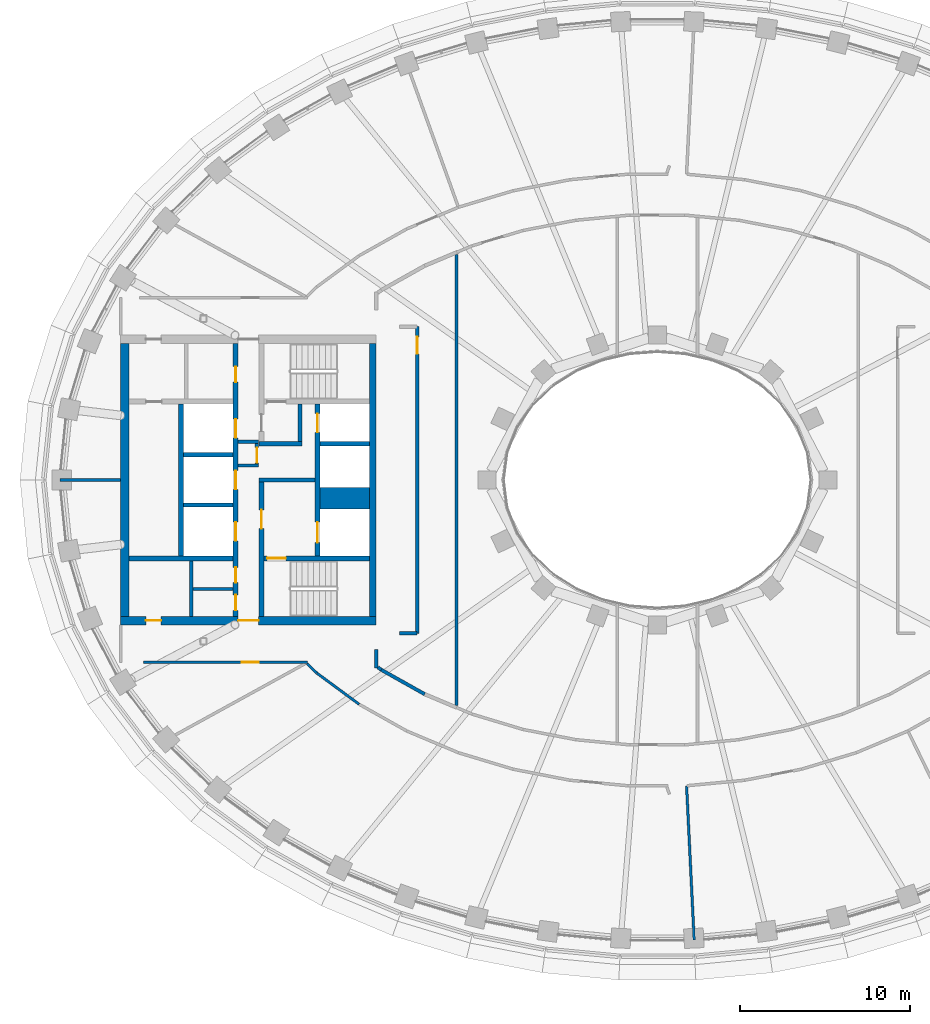
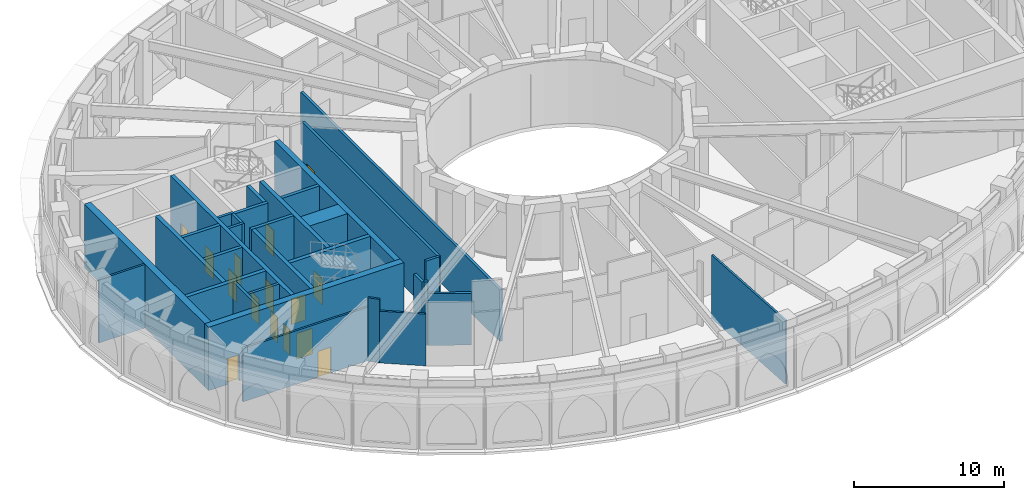
# One storey, part 6 of 25: 32 walls, 15 doors, 15 openings.
"""IFC4 building model written with IfcOpenShell, lengths in metres."""

from ifc_helpers import new_model, si_unit, direction, frame, frame_2d, origin, place, context, subcontext, project, spatial, rectangle, extrude, material, layer, layer_set, type_object, element, fill, save


model = new_model("IFC4")

# Units and contexts
model_context = context("Model", 3, precision=1e-05, world=origin(), true_north=direction((0.0, 1.0)))
body_context = subcontext(model_context, "Body", "Model", "MODEL_VIEW")
ifc_project = project(units=[si_unit("LENGTHUNIT", "METRE"), si_unit("AREAUNIT", "SQUARE_METRE"), si_unit("VOLUMEUNIT", "CUBIC_METRE"), si_unit("PLANEANGLEUNIT", "RADIAN"), si_unit("MASSUNIT", "GRAM", prefix="KILO")], contexts=[model_context])

# Site, building, storey
site_placement = place(None, origin())
site = spatial("IfcSite", under=ifc_project, at=site_placement, CompositionType="ELEMENT")
building_placement = place(site_placement, origin())
building = spatial("IfcBuilding", under=site, at=building_placement, Name="Noorbagh Ring Tower", CompositionType="ELEMENT")
storey_placement = place(building_placement, frame((0.0, 0.0, 198.0)))
storey = spatial("IfcBuildingStorey", under=building, at=storey_placement, Name="L46", CompositionType="ELEMENT", Elevation=198.0)

# Wall
ifc_material_1 = material(Name="Gypsum board on steel studs", Category="steel")
ifc_layer_1 = layer(ifc_material_1, 0.14990234375)
ifc_layer_set_1 = layer_set([ifc_layer_1], Name="Gypsum board on steel studs")
wall_type_1 = type_object("IfcWallType", Name="COMPARTMENT PARTITION 150 EI 60", PredefinedType="PARTITIONING", material=ifc_layer_set_1)
wall_1_placement = place(storey_placement, frame((-35.044921875, 0.0, 0.0), z_axis=(0.0, 0.0, 1.0), x_axis=(1.0, 0.0, 0.0)))
element("IfcWall", 1, at=wall_1_placement, inside=storey, type_object=wall_type_1, Name="L46/wall/P01", PredefinedType="PARTITIONING", context=body_context, shape_type="SweptSolid", body=[
    extrude(rectangle(XDim=3.544921875, YDim=0.14990234375, at=frame_2d((1.7724609375, 0.0))), origin(), (0.0, 0.0, 1.0), 5.14990234375),
])

# Wall, opening, door
wall_2_placement = place(storey_placement, frame((-30.14990234375, -10.699951171875, 0.0), z_axis=(0.0, 0.0, 1.0), x_axis=(1.0, 0.0, 0.0)))
wall_2 = element("IfcWall", 2, at=wall_2_placement, inside=storey, type_object=wall_type_1, Name="L46/wall/P03", PredefinedType="PARTITIONING", context=body_context, shape_type="SweptSolid", body=[
    extrude(rectangle(XDim=9.619873046875, YDim=0.14990234375, at=frame_2d((4.81005859375, 0.0))), origin(), (0.0, 0.0, 1.0), 4.35009765625),
])
opening_1_placement = place(wall_2_placement, frame((5.75, 0.0, 0.0)))
opening_1 = element("IfcOpeningElement", 3, at=opening_1_placement, cuts=wall_2, Name="Opening D6", PredefinedType="OPENING", context=body_context, shape_type="SweptSolid", body=[
    extrude(rectangle(XDim=1.0, YDim=2.10009765625, at=frame_2d((0.5, 1.050048828125))), frame((0.0, 0.0849609375, 0.0), z_axis=(0.0, -1.0, 0.0), x_axis=(1.0, 0.0, 0.0)), (0.0, 0.0, 1.0), 0.169921875),
])
ifc_material_2 = material(Name="Timber, painted", Category="wood")
door_type_1 = type_object("IfcDoorType", Name="DOOR 1000 X 2100 FD60", OperationType="SINGLE_SWING_LEFT", PredefinedType="DOOR", material=ifc_material_2)
door_1_placement = place(opening_1_placement, origin())
door_1 = element("IfcDoor", 4, at=door_1_placement, inside=storey, type_object=door_type_1, Name="L46-D01", OperationType="SINGLE_SWING_RIGHT", OverallHeight=2.10009765625, OverallWidth=1.0, PredefinedType="DOOR", context=body_context, shape_type="SweptSolid", body=[
    extrude(rectangle(XDim=1.0, YDim=2.10009765625, at=frame_2d((0.5, 1.050048828125))), frame((0.0, 0.02490234375, 0.0), z_axis=(0.0, -1.0, 0.0), x_axis=(1.0, 0.0, 0.0)), (0.0, 0.0, 1.0), 0.050048828125),
])
fill(opening_1, door_1)

# Walls
wall_3_placement = place(storey_placement, frame((-20.56103515625, -10.77490234375, 0.0), z_axis=(0.0, 0.0, 1.0), x_axis=(0.717045449997, -0.697026414591, 0.0)))
element("IfcWall", 5, at=wall_3_placement, inside=storey, type_object=wall_type_1, Name="L46/wall/P08", PredefinedType="PARTITIONING", context=body_context, shape_type="SweptSolid", body=[
    extrude(rectangle(XDim=0.804931640625, YDim=0.14990234375, at=frame_2d((0.40234375, 0.0))), origin(), (0.0, 0.0, 1.0), 5.14990234375),
])
wall_4_placement = place(storey_placement, frame((-19.98388671875, -11.3359375, 0.0), z_axis=(0.0, 0.0, 1.0), x_axis=(0.805191029373, -0.593015519373, 0.0)))
element("IfcWall", 6, at=wall_4_placement, inside=storey, type_object=wall_type_1, Name="L46/wall/P10", PredefinedType="PARTITIONING", context=body_context, shape_type="SweptSolid", body=[
    extrude(rectangle(XDim=3.0859375, YDim=0.14990234375, at=frame_2d((1.54296875, 0.0))), origin(), (0.0, 0.0, 1.0), 4.199951171875),
])
wall_5_placement = place(storey_placement, frame((1.717041015625, -17.951904296875, 0.0), z_axis=(0.0, 0.0, 1.0), x_axis=(0.049011179308, -0.998798230026, 0.0)))
element("IfcWall", 7, at=wall_5_placement, inside=storey, type_object=wall_type_1, Name="L46/wall/P53", PredefinedType="PARTITIONING", context=body_context, shape_type="SweptSolid", body=[
    extrude(rectangle(XDim=9.05615234375, YDim=0.14990234375, at=frame_2d((4.528076171875, 0.0))), origin(), (0.0, 0.0, 1.0), 5.14990234375),
])
ifc_material_3 = material(Name="Gypsum board on steel studs", Category="steel")
ifc_layer_2 = layer(ifc_material_3, 0.199951171875)
ifc_layer_set_2 = layer_set([ifc_layer_2], Name="Gypsum board on steel studs")
wall_type_2 = type_object("IfcWallType", Name="CORE-PARTITION-200", PredefinedType="PARTITIONING", material=ifc_layer_set_2)
for number, where, z_axis, x_axis, name in (
    (8, (-23.39990234375, 0.85009765625, 0.0), (0.0, 0.0, 1.0), (-1.0, 0.0, 0.0), "Core partition W"),
    (9, (-23.39990234375, 2.25, 0.0), (0.0, 0.0, 1.0), (-1.0, 0.0, 0.0), "Core partition W"),
):
    element("IfcWall", number, at=place(storey_placement, frame(where, z_axis=z_axis, x_axis=x_axis)), inside=storey, type_object=wall_type_2, Name=name, PredefinedType="PARTITIONING", context=body_context, shape_type="SweptSolid", body=[
        extrude(rectangle(XDim=1.2001953125, YDim=0.199951171875, at=frame_2d((0.60009765625, 0.0))), origin(), (0.0, 0.0, 1.0), 5.14990234375),
    ])

# Wall, opening, door
wall_6_placement = place(storey_placement, frame((-23.5, 0.75, 0.0), z_axis=(0.0, 0.0, 1.0), x_axis=(0.0, 1.0, 0.0)))
wall_6 = element("IfcWall", 10, at=wall_6_placement, inside=storey, type_object=wall_type_2, Name="Core partition W", PredefinedType="PARTITIONING", context=body_context, shape_type="SweptSolid", body=[
    extrude(rectangle(XDim=1.60009765625, YDim=0.199951171875, at=frame_2d((0.800048828125, 0.0))), origin(), (0.0, 0.0, 1.0), 5.14990234375),
])
opening_2_placement = place(wall_6_placement, frame((0.25, 0.0, 0.0)))
opening_2 = element("IfcOpeningElement", 11, at=opening_2_placement, cuts=wall_6, Name="Opening L46-CW17", PredefinedType="OPENING", context=body_context, shape_type="SweptSolid", body=[
    extrude(rectangle(XDim=0.89990234375, YDim=2.10009765625, at=frame_2d((0.449951171875, 1.050048828125))), frame((0.0, 0.10986328125, 0.0), z_axis=(0.0, -1.0, 0.0), x_axis=(1.0, 0.0, 0.0)), (0.0, 0.0, 1.0), 0.219970703125),
])
ifc_material_4 = material(Name="Steel door leaf", Category="steel")
door_type_2 = type_object("IfcDoorType", Name="CORE-DOOR-DROOM", OperationType="SINGLE_SWING_LEFT", PredefinedType="DOOR", material=ifc_material_4)
door_2_placement = place(opening_2_placement, origin())
door_2 = element("IfcDoor", 12, at=door_2_placement, inside=storey, type_object=door_type_2, Name="Core room door L46-CW17", OperationType="SINGLE_SWING_RIGHT", OverallHeight=2.10009765625, OverallWidth=0.89990234375, PredefinedType="DOOR", context=body_context, shape_type="SweptSolid", body=[
    extrude(rectangle(XDim=0.89990234375, YDim=2.10009765625, at=frame_2d((0.449951171875, 1.050048828125))), frame((0.0, 0.02490234375, 0.0), z_axis=(0.0, -1.0, 0.0), x_axis=(1.0, 0.0, 0.0)), (0.0, 0.0, 1.0), 0.050048828125),
])
fill(opening_2, door_2)

# Walls
wall_7_placement = place(storey_placement, frame((-27.35009765625, -8.0, 0.0), z_axis=(0.0, 0.0, 1.0), x_axis=(0.0, 1.0, 0.0)))
element("IfcWall", 13, at=wall_7_placement, inside=storey, type_object=wall_type_2, Name="Core partition W", PredefinedType="PARTITIONING", context=body_context, shape_type="SweptSolid", body=[
    extrude(rectangle(XDim=3.25, YDim=0.199951171875, at=frame_2d((1.625, 0.0))), origin(), (0.0, 0.0, 1.0), 5.14990234375),
])
wall_8_placement = place(storey_placement, frame((-24.89990234375, -6.39990234375, 0.0), z_axis=(0.0, 0.0, 1.0), x_axis=(-1.0, 0.0, 0.0)))
element("IfcWall", 14, at=wall_8_placement, inside=storey, type_object=wall_type_2, Name="Core partition W", PredefinedType="PARTITIONING", context=body_context, shape_type="SweptSolid", body=[
    extrude(rectangle(XDim=2.35009765625, YDim=0.199951171875, at=frame_2d((1.175048828125, 0.0))), origin(), (0.0, 0.0, 1.0), 5.14990234375),
])
ifc_material_5 = material(Name="Concrete C60/75", Category="concrete")
ifc_layer_3 = layer(ifc_material_5, 1.25)
ifc_layer_set_3 = layer_set([ifc_layer_3], Name="Concrete C60/75")
wall_type_3 = type_object("IfcWallType", Name="CORE-WALL-1250-C60-75-EI120", PredefinedType="SHEAR", material=ifc_layer_set_3)
wall_9_placement = place(storey_placement, frame((-16.89990234375, -1.074951171875, 0.0), z_axis=(0.0, 0.0, 1.0), x_axis=(-1.0, 0.0, 0.0)))
element("IfcWall", 15, at=wall_9_placement, inside=storey, type_object=wall_type_3, Name="Core wall W", PredefinedType="SHEAR", context=body_context, shape_type="SweptSolid", body=[
    extrude(rectangle(XDim=2.900146484375, YDim=1.25, at=frame_2d((1.4501953125, 0.0))), origin(), (0.0, 0.0, 1.0), 5.14990234375),
])
ifc_material_6 = material(Name="Concrete C60/75", Category="concrete")
ifc_layer_4 = layer(ifc_material_6, 0.25)
ifc_layer_set_4 = layer_set([ifc_layer_4], Name="Concrete C60/75")
wall_type_4 = type_object("IfcWallType", Name="CORE-WALL-250-C60-75-EI120", PredefinedType="SHEAR", material=ifc_layer_set_4)
for number, where, z_axis, x_axis, name in (
    (16, (-16.89990234375, 2.125, 0.0), (0.0, 0.0, 1.0), (-1.0, 0.0, 0.0), "Core wall W"),
    (17, (-24.89990234375, -1.47509765625, 0.0), (0.0, 0.0, 1.0), (-1.0, 0.0, 0.0), "Core wall W"),
    (18, (-24.89990234375, 1.47509765625, 0.0), (0.0, 0.0, 1.0), (-1.0, 0.0, 0.0), "Core wall W"),
):
    element("IfcWall", number, at=place(storey_placement, frame(where, z_axis=z_axis, x_axis=x_axis)), inside=storey, type_object=wall_type_4, Name=name, PredefinedType="SHEAR", context=body_context, shape_type="SweptSolid", body=[
        extrude(rectangle(XDim=2.900146484375, YDim=0.25, at=frame_2d((1.4501953125, 0.0))), origin(), (0.0, 0.0, 1.0), 5.14990234375),
    ])
ifc_material_7 = material(Name="Concrete C60/75", Category="concrete")
ifc_layer_5 = layer(ifc_material_7, 0.25)
ifc_layer_set_5 = layer_set([ifc_layer_5], Name="Concrete C60/75")
wall_type_5 = type_object("IfcWallType", Name="CORE-WALL-250-C60-75-EI240", PredefinedType="SHEAR", material=ifc_layer_set_5)
wall_10_placement = place(storey_placement, frame((-20.10009765625, 0.0, 0.0), z_axis=(0.0, 0.0, 1.0), x_axis=(-1.0, 0.0, 0.0)))
element("IfcWall", 19, at=wall_10_placement, inside=storey, type_object=wall_type_5, Name="Core wall W", PredefinedType="SHEAR", context=body_context, shape_type="SweptSolid", body=[
    extrude(rectangle(XDim=3.27978515625, YDim=0.25, at=frame_2d((1.639892578125, 0.0))), origin(), (0.0, 0.0, 1.0), 5.14990234375),
])
wall_11_placement = place(storey_placement, frame((-20.85009765625, 2.125, 0.0), z_axis=(0.0, 0.0, 1.0), x_axis=(-1.0, 0.0, 0.0)))
element("IfcWall", 20, at=wall_11_placement, inside=storey, type_object=wall_type_5, Name="Core wall W", PredefinedType="SHEAR", context=body_context, shape_type="SweptSolid", body=[
    extrude(rectangle(XDim=2.52978515625, YDim=0.25, at=frame_2d((1.264892578125, 0.0))), origin(), (0.0, 0.0, 1.0), 5.14990234375),
])
wall_12_placement = place(storey_placement, frame((-20.97509765625, 2.25, 0.0), z_axis=(0.0, 0.0, 1.0), x_axis=(0.0, 1.0, 0.0)))
element("IfcWall", 21, at=wall_12_placement, inside=storey, type_object=wall_type_5, Name="Core wall W", PredefinedType="SHEAR", context=body_context, shape_type="SweptSolid", body=[
    extrude(rectangle(XDim=2.199951171875, YDim=0.25, at=frame_2d((1.10009765625, 0.0))), origin(), (0.0, 0.0, 1.0), 5.14990234375),
])
ifc_material_8 = material(Name="Concrete C60/75", Category="concrete")
ifc_layer_6 = layer(ifc_material_8, 0.300048828125)
ifc_layer_set_6 = layer_set([ifc_layer_6], Name="Concrete C60/75")
wall_type_6 = type_object("IfcWallType", Name="CORE-WALL-300-C60-75-EI120", PredefinedType="SHEAR", material=ifc_layer_set_6)
wall_13_placement = place(storey_placement, frame((-27.949951171875, -4.449951171875, 0.0), z_axis=(0.0, 0.0, 1.0), x_axis=(0.0, 1.0, 0.0)))
element("IfcWall", 22, at=wall_13_placement, inside=storey, type_object=wall_type_6, Name="Core wall W", PredefinedType="SHEAR", context=body_context, shape_type="SweptSolid", body=[
    extrude(rectangle(XDim=8.89990234375, YDim=0.300048828125, at=frame_2d((4.449951171875, 0.0))), origin(), (0.0, 0.0, 1.0), 5.14990234375),
])

# Wall, openings, doors
wall_14_placement = place(storey_placement, frame((-19.949951171875, -4.449951171875, 0.0), z_axis=(0.0, 0.0, 1.0), x_axis=(0.0, 1.0, 0.0)))
wall_14 = element("IfcWall", 23, at=wall_14_placement, inside=storey, type_object=wall_type_6, Name="Core wall W", PredefinedType="SHEAR", context=body_context, shape_type="SweptSolid", body=[
    extrude(rectangle(XDim=8.89990234375, YDim=0.300048828125, at=frame_2d((4.449951171875, 0.0))), origin(), (0.0, 0.0, 1.0), 5.14990234375),
])
opening_3_placement = place(wall_14_placement, frame((0.77490234375, 0.0, 0.0)))
opening_3 = element("IfcOpeningElement", 24, at=opening_3_placement, cuts=wall_14, Name="Opening L46-CW01", PredefinedType="OPENING", context=body_context, shape_type="SweptSolid", body=[
    extrude(rectangle(XDim=1.199951171875, YDim=2.10009765625, at=frame_2d((0.60009765625, 1.050048828125))), frame((0.0, 0.16015625, 0.0), z_axis=(0.0, -1.0, 0.0), x_axis=(1.0, 0.0, 0.0)), (0.0, 0.0, 1.0), 0.320068359375),
])
opening_4_placement = place(wall_14_placement, frame((7.25, 0.0, 0.0)))
opening_4 = element("IfcOpeningElement", 25, at=opening_4_placement, cuts=wall_14, Name="Opening L46-CW02", PredefinedType="OPENING", context=body_context, shape_type="SweptSolid", body=[
    extrude(rectangle(XDim=1.10009765625, YDim=2.10009765625, at=frame_2d((0.550048828125, 1.050048828125))), frame((0.0, 0.16015625, 0.0), z_axis=(0.0, -1.0, 0.0), x_axis=(1.0, 0.0, 0.0)), (0.0, 0.0, 1.0), 0.320068359375),
])
ifc_material_9 = material(Name="Steel door leaf", Category="steel")
door_type_3 = type_object("IfcDoorType", Name="CORE-DOOR-LD", OperationType="DOUBLE_DOOR_SLIDING", PredefinedType="DOOR", material=ifc_material_9)
door_3_placement = place(opening_4_placement, origin())
door_3 = element("IfcDoor", 26, at=door_3_placement, inside=storey, type_object=door_type_3, Name="Landing door HR1 L46-CW02", OperationType="DOUBLE_DOOR_SLIDING", OverallHeight=2.10009765625, OverallWidth=1.10009765625, PredefinedType="DOOR", context=body_context, shape_type="SweptSolid", body=[
    extrude(rectangle(XDim=1.10009765625, YDim=2.10009765625, at=frame_2d((0.550048828125, 1.050048828125))), frame((0.0, 0.02490234375, 0.0), z_axis=(0.0, -1.0, 0.0), x_axis=(1.0, 0.0, 0.0)), (0.0, 0.0, 1.0), 0.050048828125),
])
fill(opening_4, door_3)
ifc_material_10 = material(Name="Steel door leaf", Category="steel")
door_type_4 = type_object("IfcDoorType", Name="CORE-DOOR-LDW", OperationType="DOUBLE_DOOR_SLIDING", PredefinedType="DOOR", material=ifc_material_10)
door_4_placement = place(opening_3_placement, origin())
door_4 = element("IfcDoor", 27, at=door_4_placement, inside=storey, type_object=door_type_4, Name="Landing door FF1 L46-CW01", OperationType="DOUBLE_DOOR_SLIDING", OverallHeight=2.10009765625, OverallWidth=1.199951171875, PredefinedType="DOOR", context=body_context, shape_type="SweptSolid", body=[
    extrude(rectangle(XDim=1.199951171875, YDim=2.10009765625, at=frame_2d((0.60009765625, 1.050048828125))), frame((0.0, 0.02490234375, 0.0), z_axis=(0.0, -1.0, 0.0), x_axis=(1.0, 0.0, 0.0)), (0.0, 0.0, 1.0), 0.050048828125),
])
fill(opening_3, door_4)

wall_15_placement = place(storey_placement, frame((-24.75, -8.0, 0.0), z_axis=(0.0, 0.0, 1.0), x_axis=(0.0, 1.0, 0.0)))
wall_15 = element("IfcWall", 28, at=wall_15_placement, inside=storey, type_object=wall_type_6, Name="Core wall W", PredefinedType="SHEAR", context=body_context, shape_type="SweptSolid", body=[
    extrude(rectangle(XDim=16.0, YDim=0.300048828125, at=frame_2d((8.0, 0.0))), origin(), (0.0, 0.0, 1.0), 5.14990234375),
])
opening_5_placement = place(wall_15_placement, frame((4.425048828125, 0.0, 0.0)))
opening_5 = element("IfcOpeningElement", 29, at=opening_5_placement, cuts=wall_15, Name="Opening L46-CW03", PredefinedType="OPENING", context=body_context, shape_type="SweptSolid", body=[
    extrude(rectangle(XDim=1.10009765625, YDim=2.10009765625, at=frame_2d((0.550048828125, 1.050048828125))), frame((0.0, 0.16015625, 0.0), z_axis=(0.0, -1.0, 0.0), x_axis=(1.0, 0.0, 0.0)), (0.0, 0.0, 1.0), 0.320068359375),
])
opening_6_placement = place(wall_15_placement, frame((7.449951171875, 0.0, 0.0)))
opening_6 = element("IfcOpeningElement", 30, at=opening_6_placement, cuts=wall_15, Name="Opening L46-CW04", PredefinedType="OPENING", context=body_context, shape_type="SweptSolid", body=[
    extrude(rectangle(XDim=1.10009765625, YDim=2.10009765625, at=frame_2d((0.550048828125, 1.050048828125))), frame((0.0, 0.16015625, 0.0), z_axis=(0.0, -1.0, 0.0), x_axis=(1.0, 0.0, 0.0)), (0.0, 0.0, 1.0), 0.320068359375),
])
opening_7_placement = place(wall_15_placement, frame((10.47509765625, 0.0, 0.0)))
opening_7 = element("IfcOpeningElement", 31, at=opening_7_placement, cuts=wall_15, Name="Opening L46-CW05", PredefinedType="OPENING", context=body_context, shape_type="SweptSolid", body=[
    extrude(rectangle(XDim=1.10009765625, YDim=2.10009765625, at=frame_2d((0.550048828125, 1.050048828125))), frame((0.0, 0.16015625, 0.0), z_axis=(0.0, -1.0, 0.0), x_axis=(1.0, 0.0, 0.0)), (0.0, 0.0, 1.0), 0.320068359375),
])
opening_8_placement = place(wall_15_placement, frame((13.75, 0.0, 0.0)))
opening_8 = element("IfcOpeningElement", 32, at=opening_8_placement, cuts=wall_15, Name="Opening L46-CW12", PredefinedType="OPENING", context=body_context, shape_type="SweptSolid", body=[
    extrude(rectangle(XDim=0.89990234375, YDim=2.10009765625, at=frame_2d((0.449951171875, 1.050048828125))), frame((0.0, 0.16015625, 0.0), z_axis=(0.0, -1.0, 0.0), x_axis=(1.0, 0.0, 0.0)), (0.0, 0.0, 1.0), 0.320068359375),
])
opening_9_placement = place(wall_15_placement, frame((1.97509765625, 0.0, 0.0)))
opening_9 = element("IfcOpeningElement", 33, at=opening_9_placement, cuts=wall_15, Name="Opening L46-CW14", PredefinedType="OPENING", context=body_context, shape_type="SweptSolid", body=[
    extrude(rectangle(XDim=0.89990234375, YDim=2.10009765625, at=frame_2d((0.449951171875, 1.050048828125))), frame((0.0, 0.16015625, 0.0), z_axis=(0.0, -1.0, 0.0), x_axis=(1.0, 0.0, 0.0)), (0.0, 0.0, 1.0), 0.320068359375),
])
opening_10_placement = place(wall_15_placement, frame((0.35009765625, 0.0, 0.0)))
opening_10 = element("IfcOpeningElement", 34, at=opening_10_placement, cuts=wall_15, Name="Opening L46-CW15", PredefinedType="OPENING", context=body_context, shape_type="SweptSolid", body=[
    extrude(rectangle(XDim=0.89990234375, YDim=2.10009765625, at=frame_2d((0.449951171875, 1.050048828125))), frame((0.0, 0.16015625, 0.0), z_axis=(0.0, -1.0, 0.0), x_axis=(1.0, 0.0, 0.0)), (0.0, 0.0, 1.0), 0.320068359375),
])
door_5_placement = place(opening_8_placement, origin())
door_5 = element("IfcDoor", 35, at=door_5_placement, inside=storey, type_object=door_type_2, Name="Core room door L46-CW12", OperationType="SINGLE_SWING_RIGHT", OverallHeight=2.10009765625, OverallWidth=0.89990234375, PredefinedType="DOOR", context=body_context, shape_type="SweptSolid", body=[
    extrude(rectangle(XDim=0.89990234375, YDim=2.10009765625, at=frame_2d((0.449951171875, 1.050048828125))), frame((0.0, 0.02490234375, 0.0), z_axis=(0.0, -1.0, 0.0), x_axis=(1.0, 0.0, 0.0)), (0.0, 0.0, 1.0), 0.050048828125),
])
fill(opening_8, door_5)
door_6_placement = place(opening_9_placement, origin())
door_6 = element("IfcDoor", 36, at=door_6_placement, inside=storey, type_object=door_type_2, Name="Core room door L46-CW14", OperationType="SINGLE_SWING_RIGHT", OverallHeight=2.10009765625, OverallWidth=0.89990234375, PredefinedType="DOOR", context=body_context, shape_type="SweptSolid", body=[
    extrude(rectangle(XDim=0.89990234375, YDim=2.10009765625, at=frame_2d((0.449951171875, 1.050048828125))), frame((0.0, 0.02490234375, 0.0), z_axis=(0.0, -1.0, 0.0), x_axis=(1.0, 0.0, 0.0)), (0.0, 0.0, 1.0), 0.050048828125),
])
fill(opening_9, door_6)
door_7_placement = place(opening_10_placement, origin())
door_7 = element("IfcDoor", 37, at=door_7_placement, inside=storey, type_object=door_type_2, Name="Core room door L46-CW15", OperationType="SINGLE_SWING_LEFT", OverallHeight=2.10009765625, OverallWidth=0.89990234375, PredefinedType="DOOR", context=body_context, shape_type="SweptSolid", body=[
    extrude(rectangle(XDim=0.89990234375, YDim=2.10009765625, at=frame_2d((0.449951171875, 1.050048828125))), frame((0.0, 0.02490234375, 0.0), z_axis=(0.0, -1.0, 0.0), x_axis=(1.0, 0.0, 0.0)), (0.0, 0.0, 1.0), 0.050048828125),
])
fill(opening_10, door_7)
door_8_placement = place(opening_5_placement, origin())
door_8 = element("IfcDoor", 38, at=door_8_placement, inside=storey, type_object=door_type_3, Name="Landing door HR2 L46-CW03", OperationType="DOUBLE_DOOR_SLIDING", OverallHeight=2.10009765625, OverallWidth=1.10009765625, PredefinedType="DOOR", context=body_context, shape_type="SweptSolid", body=[
    extrude(rectangle(XDim=1.10009765625, YDim=2.10009765625, at=frame_2d((0.550048828125, 1.050048828125))), frame((0.0, 0.02490234375, 0.0), z_axis=(0.0, -1.0, 0.0), x_axis=(1.0, 0.0, 0.0)), (0.0, 0.0, 1.0), 0.050048828125),
])
fill(opening_5, door_8)
door_9_placement = place(opening_6_placement, origin())
door_9 = element("IfcDoor", 39, at=door_9_placement, inside=storey, type_object=door_type_3, Name="Landing door HR3 L46-CW04", OperationType="DOUBLE_DOOR_SLIDING", OverallHeight=2.10009765625, OverallWidth=1.10009765625, PredefinedType="DOOR", context=body_context, shape_type="SweptSolid", body=[
    extrude(rectangle(XDim=1.10009765625, YDim=2.10009765625, at=frame_2d((0.550048828125, 1.050048828125))), frame((0.0, 0.02490234375, 0.0), z_axis=(0.0, -1.0, 0.0), x_axis=(1.0, 0.0, 0.0)), (0.0, 0.0, 1.0), 0.050048828125),
])
fill(opening_6, door_9)
door_10_placement = place(opening_7_placement, origin())
door_10 = element("IfcDoor", 40, at=door_10_placement, inside=storey, type_object=door_type_3, Name="Landing door HR4 L46-CW05", OperationType="DOUBLE_DOOR_SLIDING", OverallHeight=2.10009765625, OverallWidth=1.10009765625, PredefinedType="DOOR", context=body_context, shape_type="SweptSolid", body=[
    extrude(rectangle(XDim=1.10009765625, YDim=2.10009765625, at=frame_2d((0.550048828125, 1.050048828125))), frame((0.0, 0.02490234375, 0.0), z_axis=(0.0, -1.0, 0.0), x_axis=(1.0, 0.0, 0.0)), (0.0, 0.0, 1.0), 0.050048828125),
])
fill(opening_7, door_10)

# Wall
ifc_material_11 = material(Name="Concrete C60/75", Category="concrete")
ifc_layer_7 = layer(ifc_material_11, 0.300048828125)
ifc_layer_set_7 = layer_set([ifc_layer_7], Name="Concrete C60/75")
wall_type_7 = type_object("IfcWallType", Name="CORE-WALL-300-C60-75-EI240", PredefinedType="SHEAR", material=ifc_layer_set_7)
wall_16_placement = place(storey_placement, frame((-24.89990234375, -4.60009765625, 0.0), z_axis=(0.0, 0.0, 1.0), x_axis=(-1.0, 0.0, 0.0)))
element("IfcWall", 41, at=wall_16_placement, inside=storey, type_object=wall_type_7, Name="Core wall W", PredefinedType="SHEAR", context=body_context, shape_type="SweptSolid", body=[
    extrude(rectangle(XDim=6.10009765625, YDim=0.300048828125, at=frame_2d((3.050048828125, 0.0))), origin(), (0.0, 0.0, 1.0), 5.14990234375),
])

# Wall, opening, door
wall_17_placement = place(storey_placement, frame((-23.22998046875, -8.0, 0.0), z_axis=(0.0, 0.0, 1.0), x_axis=(0.0, 1.0, 0.0)))
wall_17 = element("IfcWall", 42, at=wall_17_placement, inside=storey, type_object=wall_type_7, Name="Core wall W", PredefinedType="SHEAR", context=body_context, shape_type="SweptSolid", body=[
    extrude(rectangle(XDim=7.875, YDim=0.300048828125, at=frame_2d((3.9375, 0.0))), origin(), (0.0, 0.0, 1.0), 5.14990234375),
])
opening_11_placement = place(wall_17_placement, frame((5.14990234375, 0.0, 0.0)))
opening_11 = element("IfcOpeningElement", 43, at=opening_11_placement, cuts=wall_17, Name="Opening L46-CW08", PredefinedType="OPENING", context=body_context, shape_type="SweptSolid", body=[
    extrude(rectangle(XDim=1.10009765625, YDim=2.10009765625, at=frame_2d((0.550048828125, 1.050048828125))), frame((0.0, 0.16015625, 0.0), z_axis=(0.0, -1.0, 0.0), x_axis=(1.0, 0.0, 0.0)), (0.0, 0.0, 1.0), 0.320068359375),
])
ifc_material_12 = material(Name="Steel door leaf", Category="steel")
door_type_5 = type_object("IfcDoorType", Name="CORE-DOOR-DFF", OperationType="SINGLE_SWING_LEFT", PredefinedType="DOOR", material=ifc_material_12)
door_11_placement = place(opening_11_placement, origin())
door_11 = element("IfcDoor", 44, at=door_11_placement, inside=storey, type_object=door_type_5, Name="Firefighting lobby door L46-CW08", OperationType="SINGLE_SWING_LEFT", OverallHeight=2.10009765625, OverallWidth=1.10009765625, PredefinedType="DOOR", context=body_context, shape_type="SweptSolid", body=[
    extrude(rectangle(XDim=1.10009765625, YDim=2.10009765625, at=frame_2d((0.550048828125, 1.050048828125))), frame((0.0, 0.02490234375, 0.0), z_axis=(0.0, -1.0, 0.0), x_axis=(1.0, 0.0, 0.0)), (0.0, 0.0, 1.0), 0.050048828125),
])
fill(opening_11, door_11)

wall_18_placement = place(storey_placement, frame((-16.89990234375, -4.60009765625, 0.0), z_axis=(0.0, 0.0, 1.0), x_axis=(-1.0, 0.0, 0.0)))
wall_18 = element("IfcWall", 45, at=wall_18_placement, inside=storey, type_object=wall_type_7, Name="Core wall W", PredefinedType="SHEAR", context=body_context, shape_type="SweptSolid", body=[
    extrude(rectangle(XDim=6.18017578125, YDim=0.300048828125, at=frame_2d((3.090087890625, 0.0))), origin(), (0.0, 0.0, 1.0), 5.14990234375),
])
opening_12_placement = place(wall_18_placement, frame((4.89990234375, 0.0, 0.0)))
opening_12 = element("IfcOpeningElement", 46, at=opening_12_placement, cuts=wall_18, Name="Opening L46-CW07", PredefinedType="OPENING", context=body_context, shape_type="SweptSolid", body=[
    extrude(rectangle(XDim=1.10009765625, YDim=2.10009765625, at=frame_2d((0.550048828125, 1.050048828125))), frame((0.0, 0.16015625, 0.0), z_axis=(0.0, -1.0, 0.0), x_axis=(1.0, 0.0, 0.0)), (0.0, 0.0, 1.0), 0.320068359375),
])
ifc_material_13 = material(Name="Steel door leaf", Category="steel")
door_type_6 = type_object("IfcDoorType", Name="CORE-DOOR-DSTAIR", OperationType="SINGLE_SWING_LEFT", PredefinedType="DOOR", material=ifc_material_13)
door_12_placement = place(opening_12_placement, origin())
door_12 = element("IfcDoor", 47, at=door_12_placement, inside=storey, type_object=door_type_6, Name="Stair door ST2 L46-CW07", OperationType="SINGLE_SWING_LEFT", OverallHeight=2.10009765625, OverallWidth=1.10009765625, PredefinedType="DOOR", context=body_context, shape_type="SweptSolid", body=[
    extrude(rectangle(XDim=1.10009765625, YDim=2.10009765625, at=frame_2d((0.550048828125, 1.050048828125))), frame((0.0, 0.02490234375, 0.0), z_axis=(0.0, -1.0, 0.0), x_axis=(1.0, 0.0, 0.0)), (0.0, 0.0, 1.0), 0.050048828125),
])
fill(opening_12, door_12)

# Wall
ifc_material_14 = material(Name="Concrete C60/75", Category="concrete")
ifc_layer_8 = layer(ifc_material_14, 0.39990234375)
ifc_layer_set_8 = layer_set([ifc_layer_8], Name="Concrete C60/75")
wall_type_8 = type_object("IfcWallType", Name="CORE-WALL-400-C60-75-EI240", PredefinedType="SHEAR", material=ifc_layer_set_8)
wall_19_placement = place(storey_placement, frame((-16.699951171875, -8.0, 0.0), z_axis=(0.0, 0.0, 1.0), x_axis=(0.0, 1.0, 0.0)))
element("IfcWall", 48, at=wall_19_placement, inside=storey, type_object=wall_type_8, Name="Core wall W", PredefinedType="SHEAR", context=body_context, shape_type="SweptSolid", body=[
    extrude(rectangle(XDim=16.0, YDim=0.39990234375, at=frame_2d((8.0, 0.0))), origin(), (0.0, 0.0, 1.0), 5.14990234375),
])

# Wall, openings, doors
ifc_material_15 = material(Name="Concrete C60/75", Category="concrete")
ifc_layer_9 = layer(ifc_material_15, 0.5)
ifc_layer_set_9 = layer_set([ifc_layer_9], Name="Concrete C60/75")
wall_type_9 = type_object("IfcWallType", Name="CORE-WALL-500-C60-75-EI240", PredefinedType="SHEAR", material=ifc_layer_set_9)
wall_20_placement = place(storey_placement, frame((-16.5, -8.25, 0.0), z_axis=(0.0, 0.0, 1.0), x_axis=(-1.0, 0.0, 0.0)))
wall_20 = element("IfcWall", 49, at=wall_20_placement, inside=storey, type_object=wall_type_9, Name="Core wall W", PredefinedType="SHEAR", context=body_context, shape_type="SweptSolid", body=[
    extrude(rectangle(XDim=15.0, YDim=0.5, at=frame_2d((7.5, 0.0))), origin(), (0.0, 0.0, 1.0), 5.14990234375),
])
opening_13_placement = place(wall_20_placement, frame((6.89990234375, 0.0, 0.0)))
opening_13 = element("IfcOpeningElement", 50, at=opening_13_placement, cuts=wall_20, Name="Opening L46-CW11", PredefinedType="OPENING", context=body_context, shape_type="SweptSolid", body=[
    extrude(rectangle(XDim=1.199951171875, YDim=2.10009765625, at=frame_2d((0.60009765625, 1.050048828125))), frame((0.0, 0.260009765625, 0.0), z_axis=(0.0, -1.0, 0.0), x_axis=(1.0, 0.0, 0.0)), (0.0, 0.0, 1.0), 0.52001953125),
])
opening_14_placement = place(wall_20_placement, frame((12.6201171875, 0.0, 0.0)))
opening_14 = element("IfcOpeningElement", 51, at=opening_14_placement, cuts=wall_20, Name="Opening L46-CW16", PredefinedType="OPENING", context=body_context, shape_type="SweptSolid", body=[
    extrude(rectangle(XDim=0.89990234375, YDim=2.10009765625, at=frame_2d((0.449951171875, 1.050048828125))), frame((0.0, 0.260009765625, 0.0), z_axis=(0.0, -1.0, 0.0), x_axis=(1.0, 0.0, 0.0)), (0.0, 0.0, 1.0), 0.52001953125),
])
door_13_placement = place(opening_14_placement, origin())
door_13 = element("IfcDoor", 52, at=door_13_placement, inside=storey, type_object=door_type_2, Name="Core room door L46-CW16", OperationType="SINGLE_SWING_LEFT", OverallHeight=2.10009765625, OverallWidth=0.89990234375, PredefinedType="DOOR", context=body_context, shape_type="SweptSolid", body=[
    extrude(rectangle(XDim=0.89990234375, YDim=2.10009765625, at=frame_2d((0.449951171875, 1.050048828125))), frame((0.0, 0.02490234375, 0.0), z_axis=(0.0, -1.0, 0.0), x_axis=(1.0, 0.0, 0.0)), (0.0, 0.0, 1.0), 0.050048828125),
])
fill(opening_14, door_13)
ifc_material_16 = material(Name="Steel door leaf", Category="steel")
door_type_7 = type_object("IfcDoorType", Name="CORE-DOOR-PORT", OperationType="DOUBLE_DOOR_DOUBLE_SWING", PredefinedType="DOOR", material=ifc_material_16)
door_14_placement = place(opening_13_placement, origin())
door_14 = element("IfcDoor", 53, at=door_14_placement, inside=storey, type_object=door_type_7, Name="Core entrance door L46-CW11", OperationType="DOUBLE_DOOR_DOUBLE_SWING", OverallHeight=2.10009765625, OverallWidth=1.199951171875, PredefinedType="DOOR", context=body_context, shape_type="SweptSolid", body=[
    extrude(rectangle(XDim=1.199951171875, YDim=2.10009765625, at=frame_2d((0.60009765625, 1.050048828125))), frame((0.0, 0.02490234375, 0.0), z_axis=(0.0, -1.0, 0.0), x_axis=(1.0, 0.0, 0.0)), (0.0, 0.0, 1.0), 0.050048828125),
])
fill(opening_13, door_14)

# Walls
wall_21_placement = place(storey_placement, frame((-31.25, -8.0, 0.0), z_axis=(0.0, 0.0, 1.0), x_axis=(0.0, 1.0, 0.0)))
element("IfcWall", 54, at=wall_21_placement, inside=storey, type_object=wall_type_9, Name="Core wall W", PredefinedType="SHEAR", context=body_context, shape_type="SweptSolid", body=[
    extrude(rectangle(XDim=16.0, YDim=0.5, at=frame_2d((8.0, 0.0))), origin(), (0.0, 0.0, 1.0), 5.14990234375),
])
ifc_material_17 = material(Name="Gypsum board on steel studs", Category="steel")
ifc_layer_10 = layer(ifc_material_17, 0.199951171875)
ifc_layer_set_10 = layer_set([ifc_layer_10], Name="Gypsum board on steel studs")
wall_type_10 = type_object("IfcWallType", Name="SHAFT PARTITION 200 EI 120", PredefinedType="PARTITIONING", material=ifc_layer_set_10)
wall_22_placement = place(storey_placement, frame((-16.5, -11.044921875, 0.0), z_axis=(0.0, 0.0, 1.0), x_axis=(0.0, 1.0, 0.0)))
element("IfcWall", 55, at=wall_22_placement, inside=storey, type_object=wall_type_10, Name="L46/wall/P14", PredefinedType="PARTITIONING", context=body_context, shape_type="SweptSolid", body=[
    extrude(rectangle(XDim=1.080810546875, YDim=0.199951171875, at=frame_2d((0.54052734375, 0.0))), origin(), (0.0, 0.0, 1.0), 5.14990234375),
])
wall_23_placement = place(storey_placement, frame((-16.39990234375, -10.9951171875, 0.0), z_axis=(0.0, 0.0, 1.0), x_axis=(0.805152309286, -0.593068089558, 0.0)))
element("IfcWall", 56, at=wall_23_placement, inside=storey, type_object=wall_type_10, Name="L46/wall/P15", PredefinedType="PARTITIONING", context=body_context, shape_type="SweptSolid", body=[
    extrude(rectangle(XDim=0.25439453125, YDim=0.199951171875, at=frame_2d((0.127197265625, 0.0))), origin(), (0.0, 0.0, 1.0), 5.14990234375),
])
wall_24_placement = place(storey_placement, frame((-16.195068359375, -11.14599609375, 0.0), z_axis=(0.0, 0.0, 1.0), x_axis=(0.872138682379, -0.48925874412, 0.0)))
element("IfcWall", 57, at=wall_24_placement, inside=storey, type_object=wall_type_10, Name="L46/wall/P18", PredefinedType="PARTITIONING", context=body_context, shape_type="SweptSolid", body=[
    extrude(rectangle(XDim=2.91455078125, YDim=0.199951171875, at=frame_2d((1.457275390625, 0.0))), origin(), (0.0, 0.0, 1.0), 4.199951171875),
])
wall_25_placement = place(storey_placement, frame((-15.134033203125, -9.0, 0.0), z_axis=(0.0, 0.0, 1.0), x_axis=(1.0, 0.0, 0.0)))
element("IfcWall", 58, at=wall_25_placement, inside=storey, type_object=wall_type_10, Name="L46/wall/P20", PredefinedType="PARTITIONING", context=body_context, shape_type="SweptSolid", body=[
    extrude(rectangle(XDim=1.033935546875, YDim=0.199951171875, at=frame_2d((0.51708984375, 0.0))), origin(), (0.0, 0.0, 1.0), 5.14990234375),
])

# Wall, opening, door
wall_26_placement = place(storey_placement, frame((-14.10009765625, -9.0, 0.0), z_axis=(0.0, 0.0, 1.0), x_axis=(0.0, 1.0, 0.0)))
wall_26 = element("IfcWall", 59, at=wall_26_placement, inside=storey, type_object=wall_type_10, Name="L46/wall/P25", PredefinedType="PARTITIONING", context=body_context, shape_type="SweptSolid", body=[
    extrude(rectangle(XDim=18.0, YDim=0.199951171875, at=frame_2d((9.0, 0.0))), origin(), (0.0, 0.0, 1.0), 5.14990234375),
])
opening_15_placement = place(wall_26_placement, frame((16.39990234375, 0.0, 0.0)))
opening_15 = element("IfcOpeningElement", 60, at=opening_15_placement, cuts=wall_26, Name="Opening D5", PredefinedType="OPENING", context=body_context, shape_type="SweptSolid", body=[
    extrude(rectangle(XDim=1.0, YDim=2.10009765625, at=frame_2d((0.5, 1.050048828125))), frame((0.0, 0.10986328125, 0.0), z_axis=(0.0, -1.0, 0.0), x_axis=(1.0, 0.0, 0.0)), (0.0, 0.0, 1.0), 0.219970703125),
])
ifc_material_18 = material(Name="Timber, painted", Category="wood")
door_type_8 = type_object("IfcDoorType", Name="DOOR 1000 X 2100 FD120", OperationType="SINGLE_SWING_LEFT", PredefinedType="DOOR", material=ifc_material_18)
door_15_placement = place(opening_15_placement, origin())
door_15 = element("IfcDoor", 61, at=door_15_placement, inside=storey, type_object=door_type_8, Name="L46-D10", OperationType="SINGLE_SWING_RIGHT", OverallHeight=2.10009765625, OverallWidth=1.0, PredefinedType="DOOR", context=body_context, shape_type="SweptSolid", body=[
    extrude(rectangle(XDim=1.0, YDim=2.10009765625, at=frame_2d((0.5, 1.050048828125))), frame((0.0, 0.02490234375, 0.0), z_axis=(0.0, -1.0, 0.0), x_axis=(1.0, 0.0, 0.0)), (0.0, 0.0, 1.0), 0.050048828125),
])
fill(opening_15, door_15)

# Wall
wall_27_placement = place(storey_placement, frame((-11.785888671875, -13.24609375, 0.0), z_axis=(0.0, 0.0, 1.0), x_axis=(0.0, 1.0, 0.0)))
element("IfcWall", 62, at=wall_27_placement, inside=storey, type_object=wall_type_10, Name="L46/wall/P29", PredefinedType="PARTITIONING", context=body_context, shape_type="SweptSolid", body=[
    extrude(rectangle(XDim=26.4921875, YDim=0.199951171875, at=frame_2d((13.24609375, 0.0))), origin(), (0.0, 0.0, 1.0), 4.199951171875),
])

save(model, "model.ifc")
